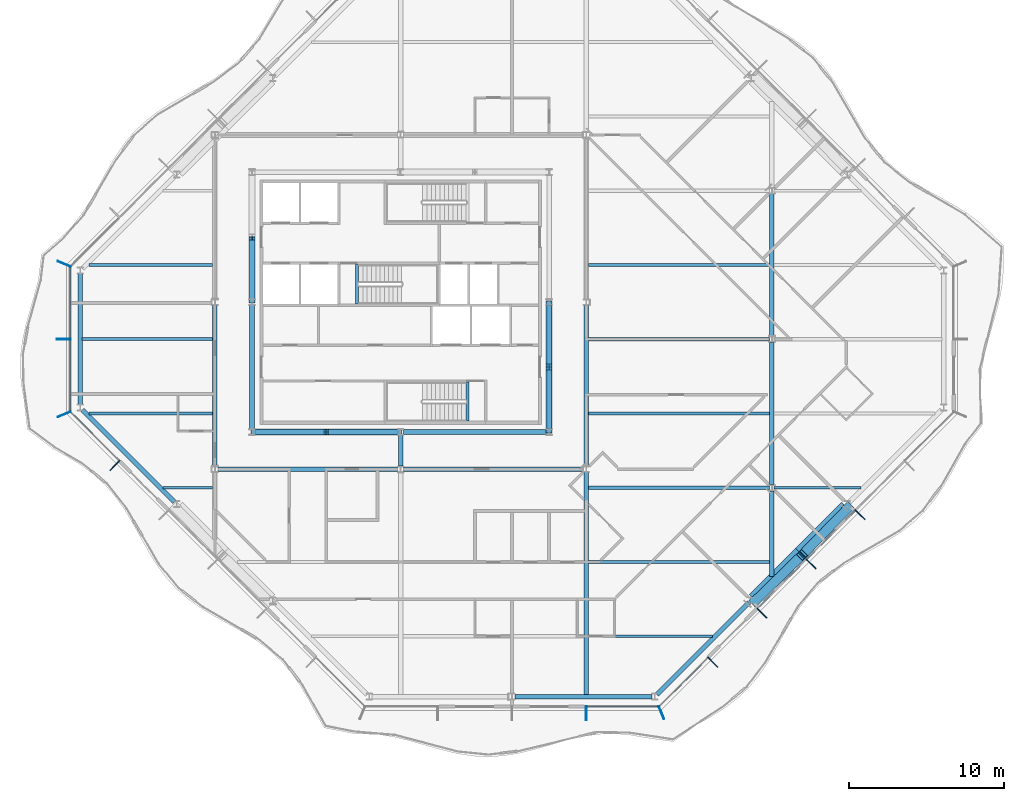
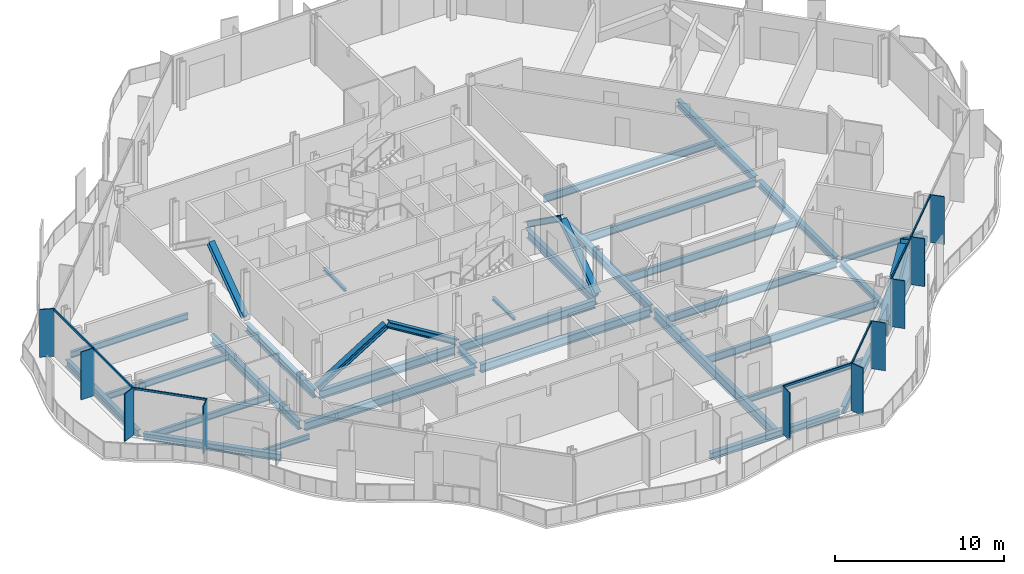
# One storey, part 3 of 17: 32 beams, 24 members, 4 elements without a shape of their own.
"""IFC4 building model written with IfcOpenShell, lengths in metres."""

from ifc_helpers import new_model, si_unit, direction, frame, origin, origin_2d, place, context, subcontext, project, spatial, rectangle, hollow_rectangle, i_section, extrude, material, material_profile, profile_set, type_object, element, aggregate, save


model = new_model("IFC4")

# Units and contexts
model_context = context("Model", 3, precision=1e-05, world=origin(), true_north=direction((0.0, 1.0)))
body_context = subcontext(model_context, "Body", "Model", "MODEL_VIEW")
ifc_project = project(units=[si_unit("LENGTHUNIT", "METRE"), si_unit("AREAUNIT", "SQUARE_METRE"), si_unit("VOLUMEUNIT", "CUBIC_METRE"), si_unit("PLANEANGLEUNIT", "RADIAN"), si_unit("MASSUNIT", "GRAM", prefix="KILO")], contexts=[model_context])

# Site, building, storey
site_placement = place(None, origin())
site = spatial("IfcSite", under=ifc_project, at=site_placement, CompositionType="ELEMENT")
building_placement = place(site_placement, origin())
building = spatial("IfcBuilding", under=site, at=building_placement, Name="Cairn Pilgrim Tower", CompositionType="ELEMENT")
storey_placement = place(building_placement, frame((0.0, 0.0, 214.199951171875)))
storey = spatial("IfcBuildingStorey", under=building, at=storey_placement, Name="L54", CompositionType="ELEMENT", Elevation=214.199951171875)

# Members
ifc_material_1 = material(Name="Structural steel S460M", Category="steel")
ifc_material_profile_1 = material_profile(ifc_material_1, hollow_rectangle(XDim=0.60009765625, YDim=0.60009765625, WallThickness=0.034912109375, at=origin_2d()), Name="BOX 600x600x35")
ifc_profile_set_1 = profile_set([ifc_material_profile_1], Name="Structural steel S460M")
member_type_1 = type_object("IfcMemberType", Name="BOX 600x600x35 BRACE", PredefinedType="BRACE", material=ifc_profile_set_1)
for number, where, z_axis, x_axis, name in (
    (1, (30.02392578125, -17.00146484375, 0.150146484375), (0.610009201523, 0.594778373814, 0.523571828979), (-0.698111810848, 0.715988756584, 0.0), "XB-SE2-SE3-1"),
    (2, (36.201416015625, -10.823974609375, 0.150146484375), (-0.594778373814, -0.610009201523, 0.523571828979), (0.715988756584, -0.698111810848, 0.0), "XB-SE2-SE3-2"),
):
    element("IfcMember", number, at=place(storey_placement, frame(where, z_axis=z_axis, x_axis=x_axis)), inside=storey, type_object=member_type_1, Name=name, PredefinedType="BRACE", context=body_context, shape_type="SweptSolid", body=[
        extrude(hollow_rectangle(XDim=0.60009765625, YDim=0.60009765625, WallThickness=0.034912109375, at=origin_2d()), origin(), (0.0, 0.0, 1.0), 5.033203125),
    ])

# Beams
ifc_material_2 = material(Name="Structural steel S355J2", Category="steel")
ifc_material_profile_2 = material_profile(ifc_material_2, hollow_rectangle(XDim=0.699951171875, YDim=0.800048828125, WallThickness=0.0400390625, at=origin_2d()), Name="BOX 700x800x40")
ifc_profile_set_2 = profile_set([ifc_material_profile_2], Name="Structural steel S355J2")
beam_type_1 = type_object("IfcBeamType", Name="BOX 700x800x40 RING GIRDER", PredefinedType="SPANDREL", material=ifc_profile_set_2)
beam_1_placement = place(storey_placement, frame((29.98388671875, -16.743408203125, -0.550048828125), z_axis=(0.707106781187, 0.707106781187, 0.0), x_axis=(-0.707106781187, 0.707106781187, 0.0)))
element("IfcBeam", 3, at=beam_1_placement, inside=storey, type_object=beam_type_1, Name="RG3-SE2-SE3-1", PredefinedType="SPANDREL", context=body_context, shape_type="SweptSolid", body=[
    extrude(hollow_rectangle(XDim=0.699951171875, YDim=0.800048828125, WallThickness=0.0400390625, at=origin_2d()), origin(), (0.0, 0.0, 1.0), 4.2138671875),
])
beam_2_placement = place(storey_placement, frame((32.963623046875, -13.763671875, -0.550048828125), z_axis=(0.707077813866, 0.707135747321, 0.0), x_axis=(-0.707135747321, 0.707077813866, 0.0)))
element("IfcBeam", 4, at=beam_2_placement, inside=storey, type_object=beam_type_1, Name="RG3-SE2-SE3-2", PredefinedType="SPANDREL", context=body_context, shape_type="SweptSolid", body=[
    extrude(hollow_rectangle(XDim=0.699951171875, YDim=0.800048828125, WallThickness=0.0400390625, at=origin_2d()), origin(), (0.0, 0.0, 1.0), 4.214111328125),
])

# Curtain wall, member
ifc_material_3 = material(Name="Aluminium alloy 6063-T6 bronze anodised with Bronze tinted laminated low-E glass 8+16+8.8", Category="aluminium")
curtain_wall_type_1 = type_object("IfcCurtainWallType", Name="TOWER STICK CURTAIN WALL NS", PredefinedType="NOTDEFINED", material=ifc_material_3)
curtain_wall_1_placement = place(storey_placement, origin())
curtain_wall_1 = element("IfcCurtainWall", 5, at=curtain_wall_1_placement, inside=storey, type_object=curtain_wall_type_1, Name="Tower Stick Curtain Wall Ns S", PredefinedType="NOTDEFINED")
ifc_material_4 = material(Name="Aluminium alloy 6063-T6 bronze anodised", Category="aluminium")
ifc_material_profile_3 = material_profile(ifc_material_4, rectangle(XDim=0.89990234375, YDim=0.06005859375, at=origin_2d()), Name="FIN MULLION 60x900 BRONZE")
ifc_profile_set_3 = profile_set([ifc_material_profile_3], Name="Aluminium alloy 6063-T6 bronze anodised")
member_type_2 = type_object("IfcMemberType", Name="FIN MULLION 60x900 BRONZE", PredefinedType="MULLION", material=ifc_profile_set_3)
member_1_placement = place(storey_placement, frame((19.199951171875, -24.169921875, 0.0), z_axis=(0.0, 0.0, 1.0), x_axis=(0.0, -1.0, 0.0)))
member_1 = element("IfcMember", 6, at=member_1_placement, type_object=member_type_2, Name="Fin mullion S4", PredefinedType="MULLION", context=body_context, shape_type="SweptSolid", body=[
    extrude(rectangle(XDim=0.89990234375, YDim=0.06005859375, at=origin_2d()), origin(), (0.0, 0.0, 1.0), 3.449951171875),
])

# Curtain wall, members
curtain_wall_type_2 = type_object("IfcCurtainWallType", Name="CHAMFER CORNER CURTAIN WALL", PredefinedType="NOTDEFINED", material=ifc_material_3)
curtain_wall_2_placement = place(storey_placement, origin())
curtain_wall_2 = element("IfcCurtainWall", 7, at=curtain_wall_2_placement, inside=storey, type_object=curtain_wall_type_2, Name="Chamfer Corner Curtain Wall SE", PredefinedType="NOTDEFINED")
member_2_placement = place(storey_placement, frame((24.05712890625, -24.137939453125, 0.0), z_axis=(0.0, 0.0, 1.0), x_axis=(0.382683432365, -0.923879532511, 0.0)))
member_2 = element("IfcMember", 8, at=member_2_placement, type_object=member_type_2, Name="Fin mullion SE1", PredefinedType="MULLION", context=body_context, shape_type="SweptSolid", body=[
    extrude(rectangle(XDim=0.89990234375, YDim=0.06005859375, at=origin_2d()), origin(), (0.0, 0.0, 1.0), 3.449951171875),
])
member_3_placement = place(storey_placement, frame((27.369140625, -20.871337890625, 0.0), z_axis=(0.0, 0.0, 1.0), x_axis=(0.707106781187, -0.707106781187, 0.0)))
member_3 = element("IfcMember", 9, at=member_3_placement, type_object=member_type_2, Name="Fin mullion SE2", PredefinedType="MULLION", context=body_context, shape_type="SweptSolid", body=[
    extrude(rectangle(XDim=0.89990234375, YDim=0.06005859375, at=origin_2d()), origin(), (0.0, 0.0, 1.0), 3.449951171875),
])
member_4_placement = place(storey_placement, frame((30.544677734375, -17.69580078125, 0.0), z_axis=(0.0, 0.0, 1.0), x_axis=(0.707106781187, -0.707106781187, 0.0)))
member_4 = element("IfcMember", 10, at=member_4_placement, type_object=member_type_2, Name="Fin mullion SE3", PredefinedType="MULLION", context=body_context, shape_type="SweptSolid", body=[
    extrude(rectangle(XDim=0.89990234375, YDim=0.06005859375, at=origin_2d()), origin(), (0.0, 0.0, 1.0), 3.449951171875),
])
member_5_placement = place(storey_placement, frame((33.72021484375, -14.520263671875, 0.0), z_axis=(0.0, 0.0, 1.0), x_axis=(0.707106781187, -0.707106781187, 0.0)))
member_5 = element("IfcMember", 11, at=member_5_placement, type_object=member_type_2, Name="Fin mullion SE4", PredefinedType="MULLION", context=body_context, shape_type="SweptSolid", body=[
    extrude(rectangle(XDim=0.89990234375, YDim=0.06005859375, at=origin_2d()), origin(), (0.0, 0.0, 1.0), 3.449951171875),
])
member_6_placement = place(storey_placement, frame((36.895751953125, -11.3447265625, 0.0), z_axis=(0.0, 0.0, 1.0), x_axis=(0.707106781187, -0.707106781187, 0.0)))
member_6 = element("IfcMember", 12, at=member_6_placement, type_object=member_type_2, Name="Fin mullion SE5", PredefinedType="MULLION", context=body_context, shape_type="SweptSolid", body=[
    extrude(rectangle(XDim=0.89990234375, YDim=0.06005859375, at=origin_2d()), origin(), (0.0, 0.0, 1.0), 3.449951171875),
])

curtain_wall_type_3 = type_object("IfcCurtainWallType", Name="TOWER STICK CURTAIN WALL EW", PredefinedType="NOTDEFINED", material=ifc_material_3)
curtain_wall_3_placement = place(storey_placement, origin())
curtain_wall_3 = element("IfcCurtainWall", 13, at=curtain_wall_3_placement, inside=storey, type_object=curtain_wall_type_3, Name="Tower Stick Curtain Wall Ew W", PredefinedType="NOTDEFINED")
member_7_placement = place(storey_placement, frame((-14.5380859375, 4.857177734375, 0.0), z_axis=(0.0, 0.0, 1.0), x_axis=(-0.923879532511, 0.382683432365, 0.0)))
member_7 = element("IfcMember", 14, at=member_7_placement, type_object=member_type_2, Name="Fin mullion W1", PredefinedType="MULLION", context=body_context, shape_type="SweptSolid", body=[
    extrude(rectangle(XDim=0.89990234375, YDim=0.06005859375, at=origin_2d()), origin(), (0.0, 0.0, 1.0), 3.449951171875),
])
member_8_placement = place(storey_placement, frame((-14.570068359375, 0.0, 0.0), z_axis=(0.0, 0.0, 1.0), x_axis=(-1.0, 0.0, 0.0)))
member_8 = element("IfcMember", 15, at=member_8_placement, type_object=member_type_2, Name="Fin mullion W2", PredefinedType="MULLION", context=body_context, shape_type="SweptSolid", body=[
    extrude(rectangle(XDim=0.89990234375, YDim=0.06005859375, at=origin_2d()), origin(), (0.0, 0.0, 1.0), 3.449951171875),
])

curtain_wall_4_placement = place(storey_placement, origin())
curtain_wall_4 = element("IfcCurtainWall", 16, at=curtain_wall_4_placement, inside=storey, type_object=curtain_wall_type_2, Name="Chamfer Corner Curtain Wall SW", PredefinedType="NOTDEFINED")
member_9_placement = place(storey_placement, frame((-14.5380859375, -4.857177734375, 0.0), z_axis=(0.0, 0.0, 1.0), x_axis=(-0.923879532511, -0.382683432365, 0.0)))
member_9 = element("IfcMember", 17, at=member_9_placement, type_object=member_type_2, Name="Fin mullion SW1", PredefinedType="MULLION", context=body_context, shape_type="SweptSolid", body=[
    extrude(rectangle(XDim=0.89990234375, YDim=0.06005859375, at=origin_2d()), origin(), (0.0, 0.0, 1.0), 3.449951171875),
])
member_10_placement = place(storey_placement, frame((-11.271484375, -8.1689453125, 0.0), z_axis=(0.0, 0.0, 1.0), x_axis=(-0.707106781187, -0.707106781187, 0.0)))
member_10 = element("IfcMember", 18, at=member_10_placement, type_object=member_type_2, Name="Fin mullion SW2", PredefinedType="MULLION", context=body_context, shape_type="SweptSolid", body=[
    extrude(rectangle(XDim=0.89990234375, YDim=0.06005859375, at=origin_2d()), origin(), (0.0, 0.0, 1.0), 3.449951171875),
])

# Members
ifc_material_profile_4 = material_profile(ifc_material_2, i_section(OverallWidth=0.39794921875, OverallDepth=0.386962890625, WebThickness=0.02099609375, FlangeThickness=0.033203125, FilletRadius=0.014892578125, at=origin_2d()), Name="HD 400x262")
ifc_profile_set_4 = profile_set([ifc_material_profile_4], Name="Structural steel S355J2")
member_type_3 = type_object("IfcMemberType", Name="HD 400x262 BRACE", PredefinedType="BRACE", material=ifc_profile_set_4)
member_11_placement = place(storey_placement, frame((-2.359619140625, -6.0, 0.10009765625), z_axis=(0.851180404412, 0.0, 0.524873241025), x_axis=(0.0, 1.0, 0.0)))
element("IfcMember", 19, at=member_11_placement, inside=storey, type_object=member_type_3, Name="KB-1A", PredefinedType="BRACE", context=body_context, shape_type="SweptSolid", body=[
    extrude(i_section(OverallWidth=0.39794921875, OverallDepth=0.386962890625, WebThickness=0.02099609375, FlangeThickness=0.033203125, FilletRadius=0.014892578125, at=origin_2d()), origin(), (0.0, 0.0, 1.0), 5.529052734375),
])
member_12_placement = place(storey_placement, frame((7.15966796875, -6.0, 0.10009765625), z_axis=(-0.851192568136, 0.0, 0.524853514754), x_axis=(0.0, -1.0, 0.0)))
element("IfcMember", 20, at=member_12_placement, inside=storey, type_object=member_type_3, Name="KB-1B", PredefinedType="BRACE", context=body_context, shape_type="SweptSolid", body=[
    extrude(i_section(OverallWidth=0.39794921875, OverallDepth=0.386962890625, WebThickness=0.02099609375, FlangeThickness=0.033203125, FilletRadius=0.014892578125, at=origin_2d()), origin(), (0.0, 0.0, 1.0), 5.529296875),
])
member_13_placement = place(storey_placement, frame((16.800048828125, -5.959716796875, 0.10009765625), z_axis=(0.0, 0.814429122825, 0.580263047155), x_axis=(-1.0, 0.0, 0.0)))
element("IfcMember", 21, at=member_13_placement, inside=storey, type_object=member_type_3, Name="KB-2A", PredefinedType="BRACE", context=body_context, shape_type="SweptSolid", body=[
    extrude(i_section(OverallWidth=0.39794921875, OverallDepth=0.386962890625, WebThickness=0.02099609375, FlangeThickness=0.033203125, FilletRadius=0.014892578125, at=origin_2d()), origin(), (0.0, 0.0, 1.0), 4.999267578125),
])
for number, where, z_axis, x_axis, name in (
    (22, (16.800048828125, 2.359619140625, 0.10009765625), (0.0, -0.814412678688, 0.580286126659), (1.0, 0.0, 0.0), "KB-2B"),
    (23, (-2.39990234375, 2.4404296875, 0.10009765625), (0.0, 0.814412678688, 0.580286126659), (-1.0, 0.0, 0.0), "KB-4B"),
):
    element("IfcMember", number, at=place(storey_placement, frame(where, z_axis=z_axis, x_axis=x_axis)), inside=storey, type_object=member_type_3, Name=name, PredefinedType="BRACE", context=body_context, shape_type="SweptSolid", body=[
        extrude(i_section(OverallWidth=0.39794921875, OverallDepth=0.386962890625, WebThickness=0.02099609375, FlangeThickness=0.033203125, FilletRadius=0.014892578125, at=origin_2d()), origin(), (0.0, 0.0, 1.0), 4.9990234375),
    ])

# Beams
ifc_material_profile_5 = material_profile(ifc_material_2, i_section(OverallWidth=0.300048828125, OverallDepth=0.39990234375, WebThickness=0.013427734375, FlangeThickness=0.02392578125, FilletRadius=0.027099609375, at=origin_2d()), Name="HEB 400")
ifc_profile_set_5 = profile_set([ifc_material_profile_5], Name="Structural steel S355J2")
beam_type_2 = type_object("IfcBeamType", Name="HEB 400 GIRDER", PredefinedType="BEAM", material=ifc_profile_set_5)
beam_3_placement = place(storey_placement, frame((7.199951171875, -8.200439453125, -0.349853515625), z_axis=(0.0, 1.0, 0.0), x_axis=(-1.0, 0.0, 0.0)))
element("IfcBeam", 24, at=beam_3_placement, inside=storey, type_object=beam_type_2, Name="PG3-E1", PredefinedType="BEAM", context=body_context, shape_type="SweptSolid", body=[
    extrude(i_section(OverallWidth=0.300048828125, OverallDepth=0.39990234375, WebThickness=0.013427734375, FlangeThickness=0.02392578125, FilletRadius=0.027099609375, at=origin_2d()), origin(), (0.0, 0.0, 1.0), 1.99853515625),
])
beam_4_placement = place(storey_placement, frame((31.199951171875, -15.34521484375, -0.349853515625), z_axis=(0.0, 1.0, 0.0), x_axis=(-1.0, 0.0, 0.0)))
element("IfcBeam", 25, at=beam_4_placement, inside=storey, type_object=beam_type_2, Name="PG5-1", PredefinedType="BEAM", context=body_context, shape_type="SweptSolid", body=[
    extrude(i_section(OverallWidth=0.300048828125, OverallDepth=0.39990234375, WebThickness=0.013427734375, FlangeThickness=0.02392578125, FilletRadius=0.027099609375, at=origin_2d()), origin(), (0.0, 0.0, 1.0), 5.545654296875),
])
ifc_material_profile_6 = material_profile(ifc_material_2, i_section(OverallWidth=0.300048828125, OverallDepth=0.5, WebThickness=0.014404296875, FlangeThickness=0.028076171875, FilletRadius=0.027099609375, at=origin_2d()), Name="HEB 500")
ifc_profile_set_6 = profile_set([ifc_material_profile_6], Name="Structural steel S355J2")
beam_type_3 = type_object("IfcBeamType", Name="HEB 500 GIRDER", PredefinedType="BEAM", material=ifc_profile_set_6)
for number, where, z_axis, x_axis, name in (
    (26, (31.199951171875, -9.400390625, -0.39990234375), (0.0, 1.0, 0.0), (-1.0, 0.0, 0.0), "PG5-2"),
    (27, (31.199951171875, 0.199462890625, -0.39990234375), (0.0, 1.0, 0.0), (-1.0, 0.0, 0.0), "PG5-3"),
):
    element("IfcBeam", number, at=place(storey_placement, frame(where, z_axis=z_axis, x_axis=x_axis)), inside=storey, type_object=beam_type_3, Name=name, PredefinedType="BEAM", context=body_context, shape_type="SweptSolid", body=[
        extrude(i_section(OverallWidth=0.300048828125, OverallDepth=0.5, WebThickness=0.014404296875, FlangeThickness=0.028076171875, FilletRadius=0.027099609375, at=origin_2d()), origin(), (0.0, 0.0, 1.0), 9.200927734375),
    ])
ifc_material_profile_7 = material_profile(ifc_material_2, i_section(OverallWidth=0.300048828125, OverallDepth=0.5, WebThickness=0.014404296875, FlangeThickness=0.028076171875, FilletRadius=0.027099609375, at=origin_2d()), Name="HEB 500")
ifc_profile_set_7 = profile_set([ifc_material_profile_7], Name="Structural steel S355J2")
beam_type_4 = type_object("IfcBeamType", Name="HEB 500 RING GIRDER", PredefinedType="SPANDREL", material=ifc_profile_set_7)
beam_5_placement = place(storey_placement, frame((14.587158203125, -23.10009765625, -0.39990234375), z_axis=(1.0, 0.0, 0.0), x_axis=(0.0, 1.0, 0.0)))
element("IfcBeam", 28, at=beam_5_placement, inside=storey, type_object=beam_type_4, Name="RG3-S2-SE1", PredefinedType="SPANDREL", context=body_context, shape_type="SweptSolid", body=[
    extrude(i_section(OverallWidth=0.300048828125, OverallDepth=0.5, WebThickness=0.014404296875, FlangeThickness=0.028076171875, FilletRadius=0.027099609375, at=origin_2d()), origin(), (0.0, 0.0, 1.0), 8.852783203125),
])
beam_6_placement = place(storey_placement, frame((23.759521484375, -22.967529296875, -0.39990234375), z_axis=(0.707106781187, 0.707106781187, 0.0), x_axis=(-0.707106781187, 0.707106781187, 0.0)))
element("IfcBeam", 29, at=beam_6_placement, inside=storey, type_object=beam_type_4, Name="RG3-SE1-SE2", PredefinedType="SPANDREL", context=body_context, shape_type="SweptSolid", body=[
    extrude(i_section(OverallWidth=0.300048828125, OverallDepth=0.5, WebThickness=0.014404296875, FlangeThickness=0.028076171875, FilletRadius=0.027099609375, at=origin_2d()), origin(), (0.0, 0.0, 1.0), 8.427978515625),
])
beam_7_placement = place(storey_placement, frame((-13.5, 4.239990234375, -0.39990234375), z_axis=(0.0, -1.0, 0.0), x_axis=(1.0, 0.0, 0.0)))
element("IfcBeam", 30, at=beam_7_placement, inside=storey, type_object=beam_type_4, Name="RG3-W1-SW1", PredefinedType="SPANDREL", context=body_context, shape_type="SweptSolid", body=[
    extrude(i_section(OverallWidth=0.300048828125, OverallDepth=0.5, WebThickness=0.014404296875, FlangeThickness=0.028076171875, FilletRadius=0.027099609375, at=origin_2d()), origin(), (0.0, 0.0, 1.0), 8.47998046875),
])
beam_8_placement = place(storey_placement, frame((-13.36767578125, -4.5595703125, -0.39990234375), z_axis=(0.707106781187, -0.707106781187, 0.0), x_axis=(0.707106781187, 0.707106781187, 0.0)))
element("IfcBeam", 31, at=beam_8_placement, inside=storey, type_object=beam_type_4, Name="RG3-SW1-SW2", PredefinedType="SPANDREL", context=body_context, shape_type="SweptSolid", body=[
    extrude(i_section(OverallWidth=0.300048828125, OverallDepth=0.5, WebThickness=0.014404296875, FlangeThickness=0.028076171875, FilletRadius=0.027099609375, at=origin_2d()), origin(), (0.0, 0.0, 1.0), 8.427978515625),
])
ifc_material_profile_8 = material_profile(ifc_material_2, i_section(OverallWidth=0.300048828125, OverallDepth=0.60009765625, WebThickness=0.015380859375, FlangeThickness=0.030029296875, FilletRadius=0.027099609375, at=origin_2d()), Name="HEB 600")
ifc_profile_set_8 = profile_set([ifc_material_profile_8], Name="Structural steel S355J2")
beam_type_5 = type_object("IfcBeamType", Name="HEB 600 CORE BEAM", PredefinedType="BEAM", material=ifc_profile_set_8)
beam_9_placement = place(storey_placement, frame((-2.21826171875, -6.0, -0.449951171875), z_axis=(1.0, 0.0, 0.0), x_axis=(0.0, 1.0, 0.0)))
element("IfcBeam", 32, at=beam_9_placement, inside=storey, type_object=beam_type_5, Name="CB-1", PredefinedType="BEAM", context=body_context, shape_type="SweptSolid", body=[
    extrude(i_section(OverallWidth=0.300048828125, OverallDepth=0.60009765625, WebThickness=0.015380859375, FlangeThickness=0.030029296875, FilletRadius=0.027099609375, at=origin_2d()), origin(), (0.0, 0.0, 1.0), 9.236572265625),
])
beam_10_placement = place(storey_placement, frame((7.3818359375, -6.0, -0.449951171875), z_axis=(1.0, 0.0, 0.0), x_axis=(0.0, 1.0, 0.0)))
element("IfcBeam", 33, at=beam_10_placement, inside=storey, type_object=beam_type_5, Name="CB-2", PredefinedType="BEAM", context=body_context, shape_type="SweptSolid", body=[
    extrude(i_section(OverallWidth=0.300048828125, OverallDepth=0.60009765625, WebThickness=0.015380859375, FlangeThickness=0.030029296875, FilletRadius=0.027099609375, at=origin_2d()), origin(), (0.0, 0.0, 1.0), 9.236328125),
])
for number, where, z_axis, x_axis, name in (
    (34, (16.800048828125, -5.818115234375, -0.449951171875), (0.0, 1.0, 0.0), (-1.0, 0.0, 0.0), "CB-3"),
    (35, (-2.39990234375, 2.21826171875, -0.449951171875), (0.0, -1.0, 0.0), (1.0, 0.0, 0.0), "CB-8"),
):
    element("IfcBeam", number, at=place(storey_placement, frame(where, z_axis=z_axis, x_axis=x_axis)), inside=storey, type_object=beam_type_5, Name=name, PredefinedType="BEAM", context=body_context, shape_type="SweptSolid", body=[
        extrude(i_section(OverallWidth=0.300048828125, OverallDepth=0.60009765625, WebThickness=0.015380859375, FlangeThickness=0.030029296875, FilletRadius=0.027099609375, at=origin_2d()), origin(), (0.0, 0.0, 1.0), 8.036376953125),
    ])
ifc_material_profile_9 = material_profile(ifc_material_2, i_section(OverallWidth=0.300048828125, OverallDepth=0.60009765625, WebThickness=0.015380859375, FlangeThickness=0.030029296875, FilletRadius=0.027099609375, at=origin_2d()), Name="HEB 600")
ifc_profile_set_9 = profile_set([ifc_material_profile_9], Name="Structural steel S355J2")
beam_type_6 = type_object("IfcBeamType", Name="HEB 600 GIRDER", PredefinedType="BEAM", material=ifc_profile_set_9)
for number, where, z_axis, x_axis, name in (
    (36, (-4.800048828125, -8.200439453125, -0.449951171875), (0.0, 1.0, 0.0), (-1.0, 0.0, 0.0), "PG2-2"),
    (37, (19.199951171875, -8.200439453125, -0.449951171875), (0.0, 1.0, 0.0), (-1.0, 0.0, 0.0), "PG4-2"),
):
    element("IfcBeam", number, at=place(storey_placement, frame(where, z_axis=z_axis, x_axis=x_axis)), inside=storey, type_object=beam_type_6, Name=name, PredefinedType="BEAM", context=body_context, shape_type="SweptSolid", body=[
        extrude(i_section(OverallWidth=0.300048828125, OverallDepth=0.60009765625, WebThickness=0.015380859375, FlangeThickness=0.030029296875, FilletRadius=0.027099609375, at=origin_2d()), origin(), (0.0, 0.0, 1.0), 10.40087890625),
    ])
ifc_material_profile_10 = material_profile(ifc_material_2, i_section(OverallWidth=0.300048828125, OverallDepth=0.60009765625, WebThickness=0.015380859375, FlangeThickness=0.030029296875, FilletRadius=0.027099609375, at=origin_2d()), Name="HEB 600")
ifc_profile_set_10 = profile_set([ifc_material_profile_10], Name="Structural steel S355J2")
beam_type_7 = type_object("IfcBeamType", Name="HEB 600 INNER GIRDER", PredefinedType="BEAM", material=ifc_profile_set_10)
for number, where, z_axis, x_axis, name in (
    (38, (-4.6005859375, -8.39990234375, -0.449951171875), (1.0, 0.0, 0.0), (0.0, 1.0, 0.0), "IG1-1"),
    (39, (7.3994140625, -8.39990234375, -0.449951171875), (1.0, 0.0, 0.0), (0.0, 1.0, 0.0), "IG1-2"),
):
    element("IfcBeam", number, at=place(storey_placement, frame(where, z_axis=z_axis, x_axis=x_axis)), inside=storey, type_object=beam_type_7, Name=name, PredefinedType="BEAM", context=body_context, shape_type="SweptSolid", body=[
        extrude(i_section(OverallWidth=0.300048828125, OverallDepth=0.60009765625, WebThickness=0.015380859375, FlangeThickness=0.030029296875, FilletRadius=0.027099609375, at=origin_2d()), origin(), (0.0, 0.0, 1.0), 11.60107421875),
    ])
ifc_material_profile_11 = material_profile(ifc_material_2, i_section(OverallWidth=0.300048828125, OverallDepth=0.699951171875, WebThickness=0.01708984375, FlangeThickness=0.031982421875, FilletRadius=0.027099609375, at=origin_2d()), Name="HEB 700")
ifc_profile_set_11 = profile_set([ifc_material_profile_11], Name="Structural steel S355J2")
beam_type_8 = type_object("IfcBeamType", Name="HEB 700 GIRDER", PredefinedType="BEAM", material=ifc_profile_set_11)
beam_11_placement = place(storey_placement, frame((19.199951171875, -22.97998046875, -0.5), z_axis=(0.0, 1.0, 0.0), x_axis=(-1.0, 0.0, 0.0)))
element("IfcBeam", 40, at=beam_11_placement, inside=storey, type_object=beam_type_8, Name="PG4-1", PredefinedType="BEAM", context=body_context, shape_type="SweptSolid", body=[
    extrude(i_section(OverallWidth=0.300048828125, OverallDepth=0.699951171875, WebThickness=0.01708984375, FlangeThickness=0.031982421875, FilletRadius=0.027099609375, at=origin_2d()), origin(), (0.0, 0.0, 1.0), 14.38037109375),
])
ifc_material_profile_12 = material_profile(ifc_material_2, i_section(OverallWidth=0.169921875, OverallDepth=0.360107421875, WebThickness=0.008056640625, FlangeThickness=0.0126953125, FilletRadius=0.01806640625, at=origin_2d()), Name="IPE 360")
ifc_profile_set_12 = profile_set([ifc_material_profile_12], Name="Structural steel S355J2")
beam_type_9 = type_object("IfcBeamType", Name="IPE 360 SECONDARY BEAM", PredefinedType="JOIST", material=ifc_profile_set_12)
beam_12_placement = place(storey_placement, frame((-8.14501953125, -9.60009765625, -0.329833984375), z_axis=(1.0, 0.0, 0.0), x_axis=(0.0, 1.0, 0.0)))
element("IfcBeam", 41, at=beam_12_placement, inside=storey, type_object=beam_type_9, Name="SB3-1", PredefinedType="JOIST", context=body_context, shape_type="SweptSolid", body=[
    extrude(i_section(OverallWidth=0.169921875, OverallDepth=0.360107421875, WebThickness=0.008056640625, FlangeThickness=0.0126953125, FilletRadius=0.01806640625, at=origin_2d()), origin(), (0.0, 0.0, 1.0), 3.195068359375),
])
beam_13_placement = place(storey_placement, frame((31.35009765625, -9.60009765625, -0.329833984375), z_axis=(1.0, 0.0, 0.0), x_axis=(0.0, 1.0, 0.0)))
element("IfcBeam", 42, at=beam_13_placement, inside=storey, type_object=beam_type_9, Name="SB3-3", PredefinedType="JOIST", context=body_context, shape_type="SweptSolid", body=[
    extrude(i_section(OverallWidth=0.169921875, OverallDepth=0.360107421875, WebThickness=0.008056640625, FlangeThickness=0.0126953125, FilletRadius=0.01806640625, at=origin_2d()), origin(), (0.0, 0.0, 1.0), 5.594970703125),
])
ifc_material_profile_13 = material_profile(ifc_material_2, i_section(OverallWidth=0.18994140625, OverallDepth=0.449951171875, WebThickness=0.009521484375, FlangeThickness=0.0146484375, FilletRadius=0.02099609375, at=origin_2d()), Name="IPE 450")
ifc_profile_set_13 = profile_set([ifc_material_profile_13], Name="Structural steel S355J2")
beam_type_10 = type_object("IfcBeamType", Name="IPE 450 SECONDARY BEAM", PredefinedType="JOIST", material=ifc_profile_set_13)
for number, where, z_axis, x_axis, name in (
    (43, (19.35009765625, -19.199951171875, -0.375), (1.0, 0.0, 0.0), (0.0, 1.0, 0.0), "SB1-3"),
    (44, (-12.945068359375, -4.800048828125, -0.375), (1.0, 0.0, 0.0), (0.0, 1.0, 0.0), "SB4-1"),
):
    element("IfcBeam", number, at=place(storey_placement, frame(where, z_axis=z_axis, x_axis=x_axis)), inside=storey, type_object=beam_type_10, Name=name, PredefinedType="JOIST", context=body_context, shape_type="SweptSolid", body=[
        extrude(i_section(OverallWidth=0.18994140625, OverallDepth=0.449951171875, WebThickness=0.009521484375, FlangeThickness=0.0146484375, FilletRadius=0.02099609375, at=origin_2d()), origin(), (0.0, 0.0, 1.0), 7.9951171875),
    ])
beam_14_placement = place(storey_placement, frame((-13.3798828125, 0.0, -0.375), z_axis=(1.0, 0.0, 0.0), x_axis=(0.0, 1.0, 0.0)))
element("IfcBeam", 45, at=beam_14_placement, inside=storey, type_object=beam_type_10, Name="SB5-1", PredefinedType="JOIST", context=body_context, shape_type="SweptSolid", body=[
    extrude(i_section(OverallWidth=0.18994140625, OverallDepth=0.449951171875, WebThickness=0.009521484375, FlangeThickness=0.0146484375, FilletRadius=0.02099609375, at=origin_2d()), origin(), (0.0, 0.0, 1.0), 8.429931640625),
])
beam_15_placement = place(storey_placement, frame((-12.945068359375, 4.800048828125, -0.375), z_axis=(1.0, 0.0, 0.0), x_axis=(0.0, 1.0, 0.0)))
element("IfcBeam", 46, at=beam_15_placement, inside=storey, type_object=beam_type_10, Name="SB6-1", PredefinedType="JOIST", context=body_context, shape_type="SweptSolid", body=[
    extrude(i_section(OverallWidth=0.18994140625, OverallDepth=0.449951171875, WebThickness=0.009521484375, FlangeThickness=0.0146484375, FilletRadius=0.02099609375, at=origin_2d()), origin(), (0.0, 0.0, 1.0), 7.9951171875),
])
ifc_material_profile_14 = material_profile(ifc_material_2, i_section(OverallWidth=0.2099609375, OverallDepth=0.550048828125, WebThickness=0.010986328125, FlangeThickness=0.01708984375, FilletRadius=0.02392578125, at=origin_2d()), Name="IPE 550")
ifc_profile_set_14 = profile_set([ifc_material_profile_14], Name="Structural steel S355J2")
beam_type_11 = type_object("IfcBeamType", Name="IPE 550 SECONDARY BEAM", PredefinedType="JOIST", material=ifc_profile_set_14)
for number, where, z_axis, x_axis, name in (
    (47, (19.35009765625, -14.39990234375, -0.425048828125), (1.0, 0.0, 0.0), (0.0, 1.0, 0.0), "SB2-3"),
    (48, (19.35009765625, -9.60009765625, -0.425048828125), (1.0, 0.0, 0.0), (0.0, 1.0, 0.0), "SB3-2"),
    (49, (19.35009765625, -4.800048828125, -0.425048828125), (1.0, 0.0, 0.0), (0.0, 1.0, 0.0), "SB4-2"),
    (50, (19.35009765625, 0.0, -0.425048828125), (1.0, 0.0, 0.0), (0.0, 1.0, 0.0), "SB5-2"),
    (51, (19.35009765625, 4.800048828125, -0.425048828125), (1.0, 0.0, 0.0), (0.0, 1.0, 0.0), "SB6-2"),
):
    element("IfcBeam", number, at=place(storey_placement, frame(where, z_axis=z_axis, x_axis=x_axis)), inside=storey, type_object=beam_type_11, Name=name, PredefinedType="JOIST", context=body_context, shape_type="SweptSolid", body=[
        extrude(i_section(OverallWidth=0.2099609375, OverallDepth=0.550048828125, WebThickness=0.010986328125, FlangeThickness=0.01708984375, FilletRadius=0.02392578125, at=origin_2d()), origin(), (0.0, 0.0, 1.0), 11.699951171875),
    ])
ifc_material_profile_15 = material_profile(ifc_material_2, i_section(OverallWidth=0.199951171875, OverallDepth=0.199951171875, WebThickness=0.009033203125, FlangeThickness=0.014892578125, FilletRadius=0.01806640625, at=origin_2d()), Name="HE 200 B")
ifc_profile_set_15 = profile_set([ifc_material_profile_15], Name="Structural steel S355J2")
beam_type_12 = type_object("IfcBeamType", Name="STAIR LANDING BEAM HE 200 B", PredefinedType="BEAM", material=ifc_profile_set_15)
beam_16_placement = place(storey_placement, frame((11.5244140625, -2.77490234375, -0.25), z_axis=(0.0, -1.0, 0.0), x_axis=(1.0, 0.0, 0.0)))
element("IfcBeam", 52, at=beam_16_placement, inside=storey, type_object=beam_type_12, Name="STAIR LANDING BEAM LD-HE200B", PredefinedType="BEAM", context=body_context, shape_type="SweptSolid", body=[
    extrude(i_section(OverallWidth=0.199951171875, OverallDepth=0.199951171875, WebThickness=0.009033203125, FlangeThickness=0.014892578125, FilletRadius=0.01806640625, at=origin_2d()), origin(), (0.0, 0.0, 1.0), 2.525146484375),
])
beam_17_placement = place(storey_placement, frame((4.37548828125, 2.27490234375, -0.25), z_axis=(0.0, 1.0, 0.0), x_axis=(-1.0, 0.0, 0.0)))
element("IfcBeam", 53, at=beam_17_placement, inside=storey, type_object=beam_type_12, Name="STAIR LANDING BEAM LD-HE200B", PredefinedType="BEAM", context=body_context, shape_type="SweptSolid", body=[
    extrude(i_section(OverallWidth=0.199951171875, OverallDepth=0.199951171875, WebThickness=0.009033203125, FlangeThickness=0.014892578125, FilletRadius=0.01806640625, at=origin_2d()), origin(), (0.0, 0.0, 1.0), 2.550048828125),
])

# Member
ifc_material_profile_16 = material_profile(ifc_material_4, rectangle(XDim=0.080078125, YDim=0.14990234375, at=origin_2d()), Name="TRANSOM 80x150 BRONZE")
ifc_profile_set_16 = profile_set([ifc_material_profile_16], Name="Aluminium alloy 6063-T6 bronze anodised")
member_type_4 = type_object("IfcMemberType", Name="TRANSOM 80x150 BRONZE", PredefinedType="USERDEFINED", material=ifc_profile_set_16)
member_14_placement = place(storey_placement, frame((19.22998046875, -23.75, 3.375), z_axis=(1.0, 0.0, 0.0), x_axis=(0.0, 1.0, 0.0)))
member_14 = element("IfcMember", 54, at=member_14_placement, type_object=member_type_4, Name="Transom S4", ObjectType="TRANSOM", PredefinedType="USERDEFINED", context=body_context, shape_type="SweptSolid", body=[
    extrude(rectangle(XDim=0.080078125, YDim=0.14990234375, at=origin_2d()), origin(), (0.0, 0.0, 1.0), 4.62646484375),
])

aggregate(curtain_wall_1, [member_1, member_14])

member_15_placement = place(storey_placement, frame((23.9248046875, -23.7216796875, 3.375), z_axis=(0.707106781187, 0.707106781187, 0.0), x_axis=(-0.707106781187, 0.707106781187, 0.0)))
member_15 = element("IfcMember", 55, at=member_15_placement, type_object=member_type_4, Name="Transom SE1", ObjectType="TRANSOM", PredefinedType="USERDEFINED", context=body_context, shape_type="SweptSolid", body=[
    extrude(rectangle(XDim=0.080078125, YDim=0.14990234375, at=origin_2d()), origin(), (0.0, 0.0, 1.0), 4.4208984375),
])

member_16_placement = place(storey_placement, frame((30.268798828125, -17.377685546875, 3.375), z_axis=(0.707106781187, 0.707106781187, 0.0), x_axis=(-0.707106781187, 0.707106781187, 0.0)))
member_16 = element("IfcMember", 56, at=member_16_placement, type_object=member_type_4, Name="Transom SE3", ObjectType="TRANSOM", PredefinedType="USERDEFINED", context=body_context, shape_type="SweptSolid", body=[
    extrude(rectangle(XDim=0.080078125, YDim=0.14990234375, at=origin_2d()), origin(), (0.0, 0.0, 1.0), 4.43115234375),
])

member_17_placement = place(storey_placement, frame((33.4443359375, -14.201904296875, 3.375), z_axis=(0.707134329907, 0.707079231393, 0.0), x_axis=(-0.707079231393, 0.707134329907, 0.0)))
member_17 = element("IfcMember", 57, at=member_17_placement, type_object=member_type_4, Name="Transom SE4", ObjectType="TRANSOM", PredefinedType="USERDEFINED", context=body_context, shape_type="SweptSolid", body=[
    extrude(rectangle(XDim=0.080078125, YDim=0.14990234375, at=origin_2d()), origin(), (0.0, 0.0, 1.0), 4.430908203125),
])

aggregate(curtain_wall_2, [member_2, member_3, member_4, member_5, member_6, member_15, member_16, member_17])

member_18_placement = place(storey_placement, frame((-14.14990234375, 4.656494140625, 3.375), z_axis=(0.0, -1.0, 0.0), x_axis=(1.0, 0.0, 0.0)))
member_18 = element("IfcMember", 58, at=member_18_placement, type_object=member_type_4, Name="Transom W1", ObjectType="TRANSOM", PredefinedType="USERDEFINED", context=body_context, shape_type="SweptSolid", body=[
    extrude(rectangle(XDim=0.080078125, YDim=0.14990234375, at=origin_2d()), origin(), (0.0, 0.0, 1.0), 4.62646484375),
])

member_19_placement = place(storey_placement, frame((-14.14990234375, -0.030029296875, 3.375), z_axis=(0.0, -1.0, 0.0), x_axis=(1.0, 0.0, 0.0)))
member_19 = element("IfcMember", 59, at=member_19_placement, type_object=member_type_4, Name="Transom W2", ObjectType="TRANSOM", PredefinedType="USERDEFINED", context=body_context, shape_type="SweptSolid", body=[
    extrude(rectangle(XDim=0.080078125, YDim=0.14990234375, at=origin_2d()), origin(), (0.0, 0.0, 1.0), 4.62646484375),
])

aggregate(curtain_wall_3, [member_7, member_8, member_18, member_19])

member_20_placement = place(storey_placement, frame((-14.121826171875, -4.724609375, 3.375), z_axis=(0.707106781187, -0.707106781187, 0.0), x_axis=(0.707106781187, 0.707106781187, 0.0)))
member_20 = element("IfcMember", 60, at=member_20_placement, type_object=member_type_4, Name="Transom SW1", ObjectType="TRANSOM", PredefinedType="USERDEFINED", context=body_context, shape_type="SweptSolid", body=[
    extrude(rectangle(XDim=0.080078125, YDim=0.14990234375, at=origin_2d()), origin(), (0.0, 0.0, 1.0), 4.421142578125),
])

aggregate(curtain_wall_4, [member_9, member_10, member_20])

save(model, "model.ifc")
